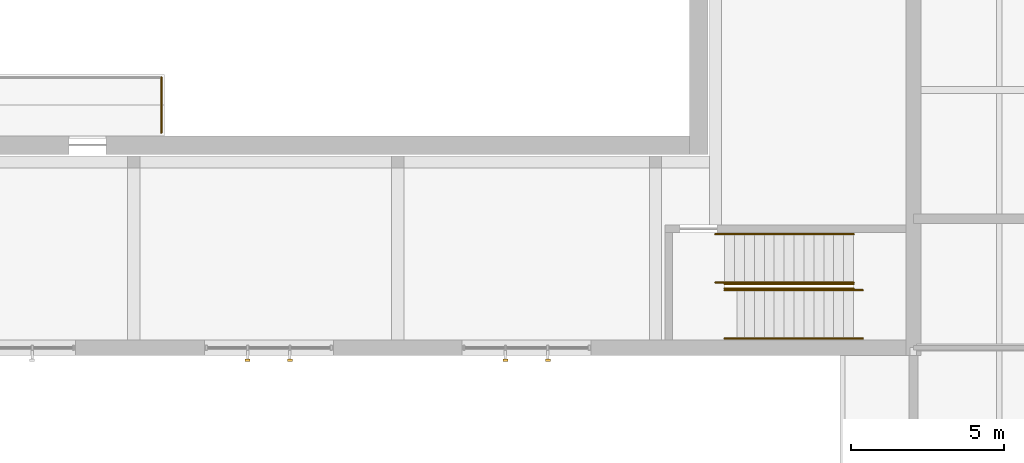
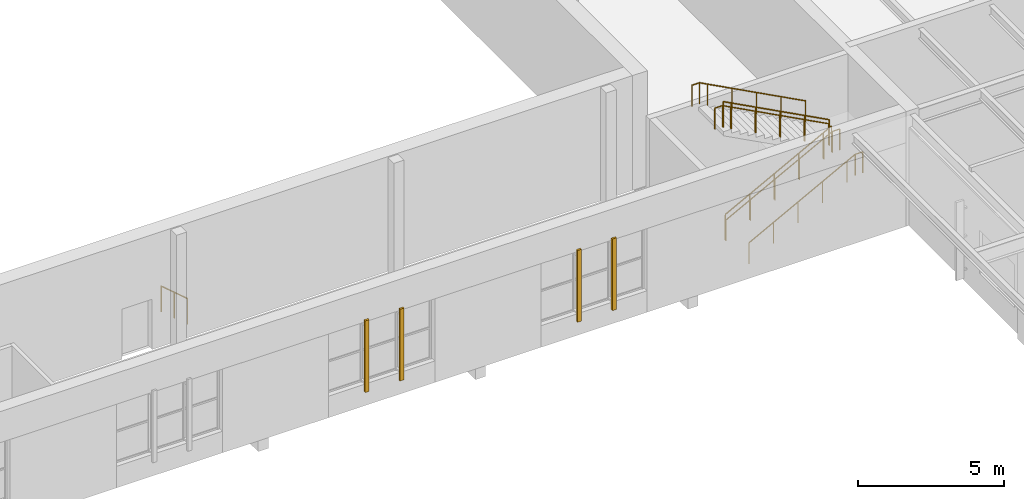
# One storey, part 106 of 116: 7 railings, 4 shading devices.
"""IFC4 building model written with IfcOpenShell, lengths in metres."""

from ifc_helpers import new_model, si_unit, direction, frame, origin, origin_2d, place, context, subcontext, project, spatial, rectangle, circle, extrude, material, type_object, element, save


model = new_model("IFC4")

# Units and contexts
model_context = context("Model", 3, precision=1e-05, world=origin(), true_north=direction((0.0, 1.0)))
body_context = subcontext(model_context, "Body", "Model", "MODEL_VIEW")
ifc_project = project(units=[si_unit("LENGTHUNIT", "METRE"), si_unit("AREAUNIT", "SQUARE_METRE"), si_unit("VOLUMEUNIT", "CUBIC_METRE"), si_unit("PLANEANGLEUNIT", "RADIAN"), si_unit("MASSUNIT", "GRAM", prefix="KILO")], contexts=[model_context])

# Site, building, storey
site_placement = place(None, origin())
site = spatial("IfcSite", under=ifc_project, at=site_placement, CompositionType="ELEMENT")
building_placement = place(site_placement, origin())
building = spatial("IfcBuilding", under=site, at=building_placement, Name="Ljudholm Concert House", CompositionType="ELEMENT")
storey_placement = place(building_placement, frame((0.0, 0.0, 10.199951171875)))
storey = spatial("IfcBuildingStorey", under=building, at=storey_placement, Name="L02", CompositionType="ELEMENT", Elevation=10.199951171875)

# Shading devices
ifc_material_1 = material(Name="Aluminium extrusion with timber-grain PVDF finish", Category="aluminium")
shading_device_type = type_object("IfcShadingDeviceType", Name="FACADE FIN 80x160", PredefinedType="SHUTTER", material=ifc_material_1)
for number, where, z_axis, x_axis, name in (
    (1, (74.7099609375, 53.989990234375, 0.699951171875), (0.0, 0.0, 1.0), (0.0, -1.0, 0.0), "Facade fin"),
    (2, (76.090087890625, 53.989990234375, 0.699951171875), (0.0, 0.0, 1.0), (0.0, -1.0, 0.0), "Facade fin"),
    (3, (83.110107421875, 53.989990234375, 0.699951171875), (0.0, 0.0, 1.0), (0.0, -1.0, 0.0), "Facade fin"),
    (4, (84.489990234375, 53.989990234375, 0.699951171875), (0.0, 0.0, 1.0), (0.0, -1.0, 0.0), "Facade fin"),
):
    element("IfcShadingDevice", number, at=place(storey_placement, frame(where, z_axis=z_axis, x_axis=x_axis)), inside=storey, type_object=shading_device_type, Name=name, PredefinedType="SHUTTER", context=body_context, shape_type="SweptSolid", body=[
        extrude(rectangle(XDim=0.080078125, YDim=0.159912109375, at=origin_2d()), origin(), (0.0, 0.0, 1.0), 3.0),
    ])

# Railings
ifc_material_2 = material(Name="Steel ASTM A36", Category="steel")
railing_type_1 = type_object("IfcRailingType", Name="GUARD 1100", PredefinedType="GUARDRAIL", material=ifc_material_2)
railing_1_placement = place(storey_placement, frame((90.25, 56.324951171875, 0.17138671875)))
element("IfcRailing", 5, at=railing_1_placement, inside=storey, type_object=railing_type_1, Name="Guard", PredefinedType="GUARDRAIL", context=body_context, shape_type="SweptSolid", body=[
    extrude(circle(Radius=0.02490234375, at=origin_2d()), frame((0.0, 0.0, 1.0751953125), z_axis=(0.883305776083, 0.0, 0.468797297281), x_axis=(0.0, 1.0, 0.0)), (0.0, 0.0, 1.0), 1.09716796875),
    extrude(circle(Radius=0.02490234375, at=origin_2d()), frame((0.96923828125, 0.0, 1.58935546875), z_axis=(0.883397901953, 0.0, 0.468623672925), x_axis=(0.0, 1.0, 0.0)), (0.0, 0.0, 1.0), 1.09716796875),
    extrude(circle(Radius=0.02490234375, at=origin_2d()), frame((1.9384765625, 0.0, 2.103515625), z_axis=(0.883305776083, 0.0, 0.468797297281), x_axis=(0.0, 1.0, 0.0)), (0.0, 0.0, 1.0), 1.09716796875),
    extrude(circle(Radius=0.02490234375, at=origin_2d()), frame((2.90771484375, 0.0, 2.6181640625), z_axis=(0.883397901953, 0.0, 0.468623672925), x_axis=(0.0, 1.0, 0.0)), (0.0, 0.0, 1.0), 1.09716796875),
    extrude(circle(Radius=0.02490234375, at=origin_2d()), frame((3.876953125, 0.0, 3.13232421875), z_axis=(0.88307250507, 0.0, 0.469236561651), x_axis=(0.0, 1.0, 0.0)), (0.0, 0.0, 1.0), 0.36572265625),
    extrude(circle(Radius=0.02099609375, at=origin_2d()), origin(), (0.0, 0.0, 1.0), 1.050048828125),
    extrude(circle(Radius=0.02099609375, at=origin_2d()), frame((0.96923828125, 0.0, 0.514404296875)), (0.0, 0.0, 1.0), 1.050048828125),
    extrude(circle(Radius=0.02099609375, at=origin_2d()), frame((1.9384765625, 0.0, 1.028564453125)), (0.0, 0.0, 1.0), 1.050048828125),
    extrude(circle(Radius=0.02099609375, at=origin_2d()), frame((2.90771484375, 0.0, 1.54296875)), (0.0, 0.0, 1.0), 1.050048828125),
    extrude(circle(Radius=0.02099609375, at=origin_2d()), frame((3.876953125, 0.0, 2.05712890625)), (0.0, 0.0, 1.0), 1.050048828125),
    extrude(circle(Radius=0.02099609375, at=origin_2d()), frame((4.199951171875, 0.0, 2.228759765625)), (0.0, 0.0, 1.0), 1.050048828125),
])
railing_2_placement = place(storey_placement, frame((94.449951171875, 56.47509765625, 2.571533203125)))
element("IfcRailing", 6, at=railing_2_placement, inside=storey, type_object=railing_type_1, Name="Guard", PredefinedType="GUARDRAIL", context=body_context, shape_type="SweptSolid", body=[
    extrude(circle(Radius=0.02490234375, at=origin_2d()), frame((0.0, 0.0, 1.0751953125), z_axis=(-0.883397901953, 0.0, 0.468623672925), x_axis=(0.0, -1.0, 0.0)), (0.0, 0.0, 1.0), 1.09716796875),
    extrude(circle(Radius=0.02490234375, at=origin_2d()), frame((-0.96923828125, 0.0, 1.58935546875), z_axis=(-0.883305776083, 0.0, 0.468797297281), x_axis=(0.0, -1.0, 0.0)), (0.0, 0.0, 1.0), 1.09716796875),
    extrude(circle(Radius=0.02490234375, at=origin_2d()), frame((-1.9384765625, 0.0, 2.103515625), z_axis=(-0.883397901953, 0.0, 0.468623672925), x_axis=(0.0, -1.0, 0.0)), (0.0, 0.0, 1.0), 1.09716796875),
    extrude(circle(Radius=0.02490234375, at=origin_2d()), frame((-2.90771484375, 0.0, 2.61767578125), z_axis=(-0.883305776083, 0.0, 0.468797297281), x_axis=(0.0, -1.0, 0.0)), (0.0, 0.0, 1.0), 1.09716796875),
    extrude(circle(Radius=0.02490234375, at=origin_2d()), frame((-3.876953125, 0.0, 3.13232421875), z_axis=(-0.883349020695, 0.0, 0.468715806899), x_axis=(0.0, -1.0, 0.0)), (0.0, 0.0, 1.0), 0.36572265625),
    extrude(circle(Radius=0.02099609375, at=origin_2d()), origin(), (0.0, 0.0, 1.0), 1.050048828125),
    extrude(circle(Radius=0.02099609375, at=origin_2d()), frame((-0.96923828125, 0.0, 0.51416015625)), (0.0, 0.0, 1.0), 1.050048828125),
    extrude(circle(Radius=0.02099609375, at=origin_2d()), frame((-1.9384765625, 0.0, 1.028564453125)), (0.0, 0.0, 1.0), 1.050048828125),
    extrude(circle(Radius=0.02099609375, at=origin_2d()), frame((-2.90771484375, 0.0, 1.542724609375)), (0.0, 0.0, 1.0), 1.050048828125),
    extrude(circle(Radius=0.02099609375, at=origin_2d()), frame((-3.876953125, 0.0, 2.05712890625)), (0.0, 0.0, 1.0), 1.050048828125),
    extrude(circle(Radius=0.02099609375, at=origin_2d()), frame((-4.199951171875, 0.0, 2.228515625)), (0.0, 0.0, 1.0), 1.050048828125),
])
railing_3_placement = place(storey_placement, frame((71.89990234375, 61.39990234375, 0.0)))
element("IfcRailing", 7, at=railing_3_placement, inside=storey, type_object=railing_type_1, Name="Gallery end guard", PredefinedType="GUARDRAIL", context=body_context, shape_type="SweptSolid", body=[
    extrude(circle(Radius=0.02490234375, at=origin_2d()), frame((0.0, 0.0, 1.0751953125), z_axis=(0.0, 0.953334162078, -0.301917166479), x_axis=(-1.0, 0.0, 0.0)), (0.0, 0.0, 1.0), 1.88818359375),
    extrude(circle(Radius=0.02099609375, at=origin_2d()), origin(), (0.0, 0.0, 1.0), 1.050048828125),
    extrude(circle(Radius=0.02099609375, at=origin_2d()), frame((0.0, 0.89990234375, -0.28515625)), (0.0, 0.0, 1.0), 1.050048828125),
    extrude(circle(Radius=0.02099609375, at=origin_2d()), frame((0.0, 1.800048828125, -0.570068359375)), (0.0, 0.0, 1.0), 1.050048828125),
])
ifc_material_3 = material(Name="Steel ASTM A36", Category="steel")
railing_type_2 = type_object("IfcRailingType", Name="HANDRAIL 900", PredefinedType="HANDRAIL", material=ifc_material_3)
railing_4_placement = place(storey_placement, frame((90.25, 56.27490234375, 0.17138671875)))
element("IfcRailing", 8, at=railing_4_placement, inside=storey, type_object=railing_type_2, Name="Handrail", PredefinedType="HANDRAIL", context=body_context, shape_type="SweptSolid", body=[
    extrude(circle(Radius=0.0224609375, at=origin_2d()), frame((0.0, 0.0, 0.87744140625), z_axis=(0.883305776083, 0.0, 0.468797297281), x_axis=(0.0, 1.0, 0.0)), (0.0, 0.0, 1.0), 1.09716796875),
    extrude(circle(Radius=0.0224609375, at=origin_2d()), frame((0.96923828125, 0.0, 1.391845703125), z_axis=(0.883397901953, 0.0, 0.468623672925), x_axis=(0.0, 1.0, 0.0)), (0.0, 0.0, 1.0), 1.09716796875),
    extrude(circle(Radius=0.0224609375, at=origin_2d()), frame((1.9384765625, 0.0, 1.906005859375), z_axis=(0.883305776083, 0.0, 0.468797297281), x_axis=(0.0, 1.0, 0.0)), (0.0, 0.0, 1.0), 1.09716796875),
    extrude(circle(Radius=0.0224609375, at=origin_2d()), frame((2.90771484375, 0.0, 2.42041015625), z_axis=(0.883397901953, 0.0, 0.468623672925), x_axis=(0.0, 1.0, 0.0)), (0.0, 0.0, 1.0), 1.09716796875),
    extrude(circle(Radius=0.0224609375, at=origin_2d()), frame((3.876953125, 0.0, 2.9345703125), z_axis=(0.88307250507, 0.0, 0.469236561651), x_axis=(0.0, 1.0, 0.0)), (0.0, 0.0, 1.0), 0.36572265625),
    extrude(circle(Radius=0.0224609375, at=origin_2d()), frame((4.199951171875, 0.0, 3.106201171875), z_axis=(1.0, 0.0, 0.0), x_axis=(0.0, 1.0, 0.0)), (0.0, 0.0, 1.0), 0.300048828125),
    extrude(circle(Radius=0.02099609375, at=origin_2d()), origin(), (0.0, 0.0, 1.0), 0.85498046875),
    extrude(circle(Radius=0.02099609375, at=origin_2d()), frame((0.96923828125, 0.0, 0.514404296875)), (0.0, 0.0, 1.0), 0.85498046875),
    extrude(circle(Radius=0.02099609375, at=origin_2d()), frame((1.9384765625, 0.0, 1.028564453125)), (0.0, 0.0, 1.0), 0.85498046875),
    extrude(circle(Radius=0.02099609375, at=origin_2d()), frame((2.90771484375, 0.0, 1.54296875)), (0.0, 0.0, 1.0), 0.85498046875),
    extrude(circle(Radius=0.02099609375, at=origin_2d()), frame((3.876953125, 0.0, 2.05712890625)), (0.0, 0.0, 1.0), 0.85498046875),
    extrude(circle(Radius=0.02099609375, at=origin_2d()), frame((4.199951171875, 0.0, 2.228759765625)), (0.0, 0.0, 1.0), 0.85498046875),
    extrude(circle(Radius=0.02099609375, at=origin_2d()), frame((4.5, 0.0, 2.228759765625)), (0.0, 0.0, 1.0), 0.85498046875),
])
railing_5_placement = place(storey_placement, frame((90.25, 54.699951171875, 0.17138671875)))
element("IfcRailing", 9, at=railing_5_placement, inside=storey, type_object=railing_type_2, Name="Handrail", PredefinedType="HANDRAIL", context=body_context, shape_type="SweptSolid", body=[
    extrude(circle(Radius=0.0224609375, at=origin_2d()), frame((0.0, 0.0, 0.87744140625), z_axis=(0.883305776083, 0.0, 0.468797297281), x_axis=(0.0, 1.0, 0.0)), (0.0, 0.0, 1.0), 1.09716796875),
    extrude(circle(Radius=0.0224609375, at=origin_2d()), frame((0.96923828125, 0.0, 1.391845703125), z_axis=(0.883397901953, 0.0, 0.468623672925), x_axis=(0.0, 1.0, 0.0)), (0.0, 0.0, 1.0), 1.09716796875),
    extrude(circle(Radius=0.0224609375, at=origin_2d()), frame((1.9384765625, 0.0, 1.906005859375), z_axis=(0.883305776083, 0.0, 0.468797297281), x_axis=(0.0, 1.0, 0.0)), (0.0, 0.0, 1.0), 1.09716796875),
    extrude(circle(Radius=0.0224609375, at=origin_2d()), frame((2.90771484375, 0.0, 2.42041015625), z_axis=(0.883397901953, 0.0, 0.468623672925), x_axis=(0.0, 1.0, 0.0)), (0.0, 0.0, 1.0), 1.09716796875),
    extrude(circle(Radius=0.0224609375, at=origin_2d()), frame((3.876953125, 0.0, 2.9345703125), z_axis=(0.88307250507, 0.0, 0.469236561651), x_axis=(0.0, 1.0, 0.0)), (0.0, 0.0, 1.0), 0.36572265625),
    extrude(circle(Radius=0.0224609375, at=origin_2d()), frame((4.199951171875, 0.0, 3.106201171875), z_axis=(1.0, 0.0, 0.0), x_axis=(0.0, 1.0, 0.0)), (0.0, 0.0, 1.0), 0.300048828125),
    extrude(circle(Radius=0.02099609375, at=origin_2d()), origin(), (0.0, 0.0, 1.0), 0.85498046875),
    extrude(circle(Radius=0.02099609375, at=origin_2d()), frame((0.96923828125, 0.0, 0.514404296875)), (0.0, 0.0, 1.0), 0.85498046875),
    extrude(circle(Radius=0.02099609375, at=origin_2d()), frame((1.9384765625, 0.0, 1.028564453125)), (0.0, 0.0, 1.0), 0.85498046875),
    extrude(circle(Radius=0.02099609375, at=origin_2d()), frame((2.90771484375, 0.0, 1.54296875)), (0.0, 0.0, 1.0), 0.85498046875),
    extrude(circle(Radius=0.02099609375, at=origin_2d()), frame((3.876953125, 0.0, 2.05712890625)), (0.0, 0.0, 1.0), 0.85498046875),
    extrude(circle(Radius=0.02099609375, at=origin_2d()), frame((4.199951171875, 0.0, 2.228759765625)), (0.0, 0.0, 1.0), 0.85498046875),
    extrude(circle(Radius=0.02099609375, at=origin_2d()), frame((4.5, 0.0, 2.228759765625)), (0.0, 0.0, 1.0), 0.85498046875),
])
railing_6_placement = place(storey_placement, frame((94.449951171875, 56.52490234375, 2.571533203125)))
element("IfcRailing", 10, at=railing_6_placement, inside=storey, type_object=railing_type_2, Name="Handrail", PredefinedType="HANDRAIL", context=body_context, shape_type="SweptSolid", body=[
    extrude(circle(Radius=0.0224609375, at=origin_2d()), frame((0.0, 0.0, 0.87744140625), z_axis=(-0.883397901953, 0.0, 0.468623672925), x_axis=(0.0, -1.0, 0.0)), (0.0, 0.0, 1.0), 1.09716796875),
    extrude(circle(Radius=0.0224609375, at=origin_2d()), frame((-0.96923828125, 0.0, 1.3916015625), z_axis=(-0.883305776083, 0.0, 0.468797297281), x_axis=(0.0, -1.0, 0.0)), (0.0, 0.0, 1.0), 1.09716796875),
    extrude(circle(Radius=0.0224609375, at=origin_2d()), frame((-1.9384765625, 0.0, 1.906005859375), z_axis=(-0.883397901953, 0.0, 0.468623672925), x_axis=(0.0, -1.0, 0.0)), (0.0, 0.0, 1.0), 1.09716796875),
    extrude(circle(Radius=0.0224609375, at=origin_2d()), frame((-2.90771484375, 0.0, 2.420166015625), z_axis=(-0.883305776083, 0.0, 0.468797297281), x_axis=(0.0, -1.0, 0.0)), (0.0, 0.0, 1.0), 1.09716796875),
    extrude(circle(Radius=0.0224609375, at=origin_2d()), frame((-3.876953125, 0.0, 2.9345703125), z_axis=(-0.883349020695, 0.0, 0.468715806899), x_axis=(0.0, -1.0, 0.0)), (0.0, 0.0, 1.0), 0.36572265625),
    extrude(circle(Radius=0.0224609375, at=origin_2d()), frame((-4.199951171875, 0.0, 3.10595703125), z_axis=(-1.0, 0.0, 0.0), x_axis=(0.0, -1.0, 0.0)), (0.0, 0.0, 1.0), 0.300048828125),
    extrude(circle(Radius=0.02099609375, at=origin_2d()), origin(), (0.0, 0.0, 1.0), 0.85498046875),
    extrude(circle(Radius=0.02099609375, at=origin_2d()), frame((-0.96923828125, 0.0, 0.51416015625)), (0.0, 0.0, 1.0), 0.85498046875),
    extrude(circle(Radius=0.02099609375, at=origin_2d()), frame((-1.9384765625, 0.0, 1.028564453125)), (0.0, 0.0, 1.0), 0.85498046875),
    extrude(circle(Radius=0.02099609375, at=origin_2d()), frame((-2.90771484375, 0.0, 1.542724609375)), (0.0, 0.0, 1.0), 0.85498046875),
    extrude(circle(Radius=0.02099609375, at=origin_2d()), frame((-3.876953125, 0.0, 2.05712890625)), (0.0, 0.0, 1.0), 0.85498046875),
    extrude(circle(Radius=0.02099609375, at=origin_2d()), frame((-4.199951171875, 0.0, 2.228515625)), (0.0, 0.0, 1.0), 0.85498046875),
    extrude(circle(Radius=0.02099609375, at=origin_2d()), frame((-4.5, 0.0, 2.228515625)), (0.0, 0.0, 1.0), 0.85498046875),
])
railing_7_placement = place(storey_placement, frame((94.449951171875, 58.10009765625, 2.571533203125)))
element("IfcRailing", 11, at=railing_7_placement, inside=storey, type_object=railing_type_2, Name="Handrail", PredefinedType="HANDRAIL", context=body_context, shape_type="SweptSolid", body=[
    extrude(circle(Radius=0.0224609375, at=origin_2d()), frame((0.0, 0.0, 0.87744140625), z_axis=(-0.883397901953, 0.0, 0.468623672925), x_axis=(0.0, -1.0, 0.0)), (0.0, 0.0, 1.0), 1.09716796875),
    extrude(circle(Radius=0.0224609375, at=origin_2d()), frame((-0.96923828125, 0.0, 1.3916015625), z_axis=(-0.883305776083, 0.0, 0.468797297281), x_axis=(0.0, -1.0, 0.0)), (0.0, 0.0, 1.0), 1.09716796875),
    extrude(circle(Radius=0.0224609375, at=origin_2d()), frame((-1.9384765625, 0.0, 1.906005859375), z_axis=(-0.883397901953, 0.0, 0.468623672925), x_axis=(0.0, -1.0, 0.0)), (0.0, 0.0, 1.0), 1.09716796875),
    extrude(circle(Radius=0.0224609375, at=origin_2d()), frame((-2.90771484375, 0.0, 2.420166015625), z_axis=(-0.883305776083, 0.0, 0.468797297281), x_axis=(0.0, -1.0, 0.0)), (0.0, 0.0, 1.0), 1.09716796875),
    extrude(circle(Radius=0.0224609375, at=origin_2d()), frame((-3.876953125, 0.0, 2.9345703125), z_axis=(-0.883349020695, 0.0, 0.468715806899), x_axis=(0.0, -1.0, 0.0)), (0.0, 0.0, 1.0), 0.36572265625),
    extrude(circle(Radius=0.0224609375, at=origin_2d()), frame((-4.199951171875, 0.0, 3.10595703125), z_axis=(-1.0, 0.0, 0.0), x_axis=(0.0, -1.0, 0.0)), (0.0, 0.0, 1.0), 0.300048828125),
    extrude(circle(Radius=0.02099609375, at=origin_2d()), origin(), (0.0, 0.0, 1.0), 0.85498046875),
    extrude(circle(Radius=0.02099609375, at=origin_2d()), frame((-0.96923828125, 0.0, 0.51416015625)), (0.0, 0.0, 1.0), 0.85498046875),
    extrude(circle(Radius=0.02099609375, at=origin_2d()), frame((-1.9384765625, 0.0, 1.028564453125)), (0.0, 0.0, 1.0), 0.85498046875),
    extrude(circle(Radius=0.02099609375, at=origin_2d()), frame((-2.90771484375, 0.0, 1.542724609375)), (0.0, 0.0, 1.0), 0.85498046875),
    extrude(circle(Radius=0.02099609375, at=origin_2d()), frame((-3.876953125, 0.0, 2.05712890625)), (0.0, 0.0, 1.0), 0.85498046875),
    extrude(circle(Radius=0.02099609375, at=origin_2d()), frame((-4.199951171875, 0.0, 2.228515625)), (0.0, 0.0, 1.0), 0.85498046875),
    extrude(circle(Radius=0.02099609375, at=origin_2d()), frame((-4.5, 0.0, 2.228515625)), (0.0, 0.0, 1.0), 0.85498046875),
])

save(model, "model.ifc")
